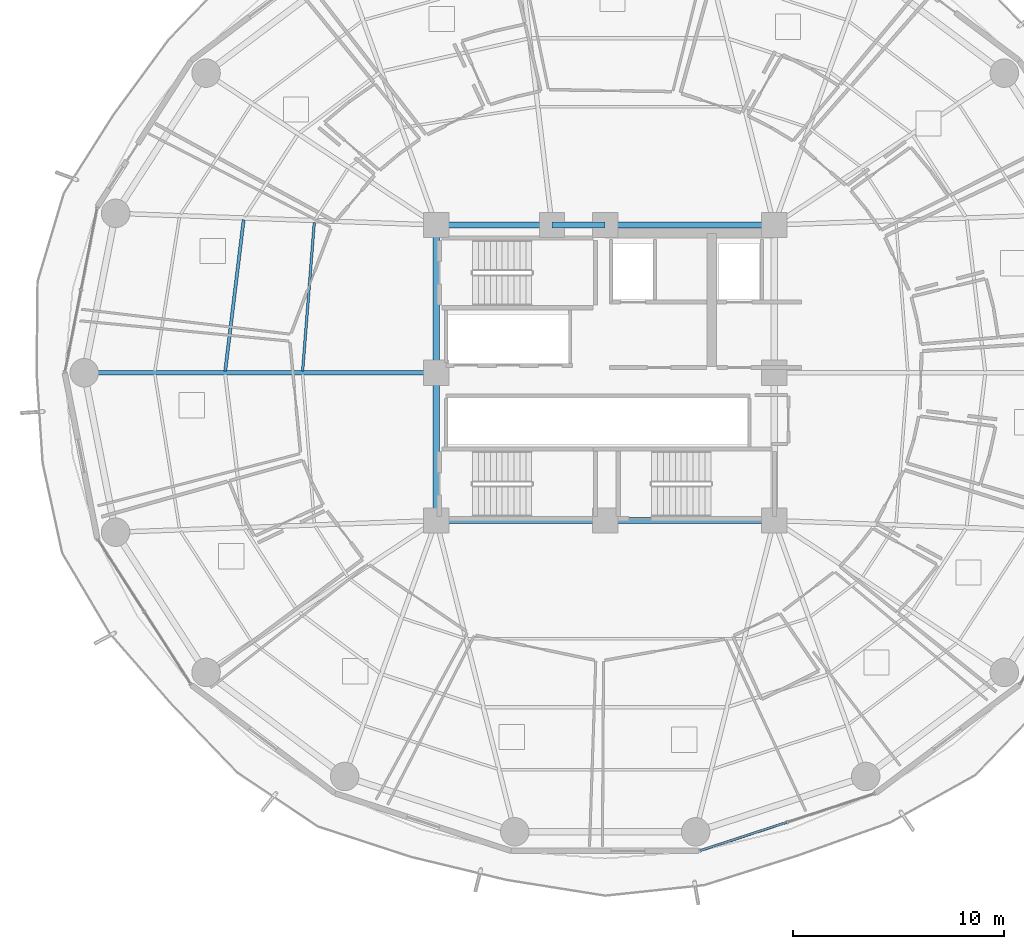
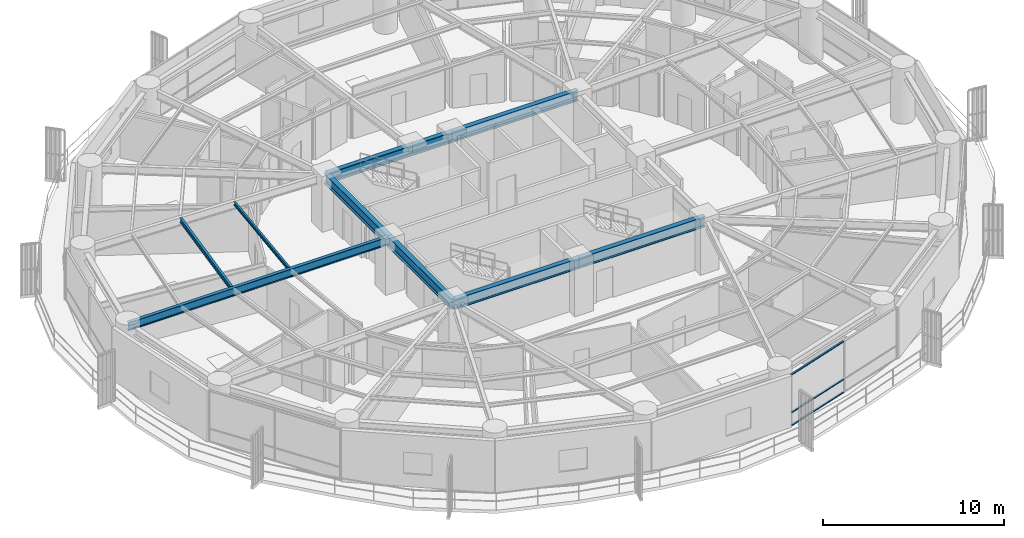
# One storey, part 9 of 36: 10 beams, 3 members, 1 element without a shape of its own.
"""IFC4 building model written with IfcOpenShell, lengths in metres."""

from ifc_helpers import new_model, si_unit, direction, frame, origin, origin_2d, place, context, subcontext, project, spatial, hollow_rectangle, i_section, extrude, material, layer, layer_set, material_profile, profile_set, type_object, element, aggregate, save


model = new_model("IFC4")

# Units and contexts
model_context = context("Model", 3, precision=1e-05, world=origin(), true_north=direction((0.0, 1.0)))
body_context = subcontext(model_context, "Body", "Model", "MODEL_VIEW")
ifc_project = project(units=[si_unit("LENGTHUNIT", "METRE"), si_unit("AREAUNIT", "SQUARE_METRE"), si_unit("VOLUMEUNIT", "CUBIC_METRE"), si_unit("PLANEANGLEUNIT", "RADIAN"), si_unit("MASSUNIT", "GRAM", prefix="KILO")], contexts=[model_context])

# Site, building, storey
site_placement = place(None, origin())
site = spatial("IfcSite", under=ifc_project, at=site_placement, CompositionType="ELEMENT")
building_placement = place(site_placement, origin())
building = spatial("IfcBuilding", under=site, at=building_placement, Name="Kelanora Arch Commons", CompositionType="ELEMENT")
storey_placement = place(building_placement, frame((0.0, 0.0, 102.60009765625)))
storey = spatial("IfcBuildingStorey", under=building, at=storey_placement, Name="L26", CompositionType="ELEMENT", Elevation=102.60009765625)

# Beams
ifc_material_1 = material(Name="Steel S355", Category="steel")
ifc_material_profile_1 = material_profile(ifc_material_1, i_section(OverallWidth=0.300048828125, OverallDepth=0.699951171875, WebThickness=0.01708984375, FlangeThickness=0.031982421875, FilletRadius=0.027099609375, at=origin_2d()), Name="HEB700")
ifc_profile_set_1 = profile_set([ifc_material_profile_1], Name="Steel S355")
beam_type_1 = type_object("IfcBeamType", Name="BM-CORE-HDR", PredefinedType="BEAM", material=ifc_profile_set_1)
for number, where, z_axis, x_axis, name in (
    (1, (66.0, 51.0, 3.139892578125), (1.0, 0.0, 0.0), (0.0, 1.0, 0.0), "Core Header Beam 01 L26"),
    (2, (74.0, 51.0, 3.139892578125), (1.0, 0.0, 0.0), (0.0, 1.0, 0.0), "Core Header Beam 02 L26"),
    (3, (82.0, 65.0, 3.139892578125), (-1.0, 0.0, 0.0), (0.0, -1.0, 0.0), "Core Header Beam 05 L26"),
):
    element("IfcBeam", number, at=place(storey_placement, frame(where, z_axis=z_axis, x_axis=x_axis)), inside=storey, type_object=beam_type_1, Name=name, PredefinedType="BEAM", context=body_context, shape_type="SweptSolid", body=[
        extrude(i_section(OverallWidth=0.300048828125, OverallDepth=0.699951171875, WebThickness=0.01708984375, FlangeThickness=0.031982421875, FilletRadius=0.027099609375, at=origin_2d()), origin(), (0.0, 0.0, 1.0), 8.0),
    ])
beam_1_placement = place(storey_placement, frame((74.0, 65.0, 3.139892578125), z_axis=(-1.0, 0.0, 0.0), x_axis=(0.0, -1.0, 0.0)))
element("IfcBeam", 4, at=beam_1_placement, inside=storey, type_object=beam_type_1, Name="Core Header Beam 06 L26", PredefinedType="BEAM", context=body_context, shape_type="SweptSolid", body=[
    extrude(i_section(OverallWidth=0.300048828125, OverallDepth=0.699951171875, WebThickness=0.01708984375, FlangeThickness=0.031982421875, FilletRadius=0.027099609375, at=origin_2d()), origin(), (0.0, 0.0, 1.0), 2.52001953125),
])
beam_2_placement = place(storey_placement, frame((71.47998046875, 65.0, 3.139892578125), z_axis=(-1.0, 0.0, 0.0), x_axis=(0.0, -1.0, 0.0)))
element("IfcBeam", 5, at=beam_2_placement, inside=storey, type_object=beam_type_1, Name="Core Header Beam 07 L26", PredefinedType="BEAM", context=body_context, shape_type="SweptSolid", body=[
    extrude(i_section(OverallWidth=0.300048828125, OverallDepth=0.699951171875, WebThickness=0.01708984375, FlangeThickness=0.031982421875, FilletRadius=0.027099609375, at=origin_2d()), origin(), (0.0, 0.0, 1.0), 5.47998046875),
])
for number, where, z_axis, x_axis, name in (
    (6, (66.0, 65.0, 3.139892578125), (0.0, -1.0, 0.0), (1.0, 0.0, 0.0), "Core Header Beam 08 L26"),
    (7, (66.0, 58.0, 3.139892578125), (0.0, -1.0, 0.0), (1.0, 0.0, 0.0), "Core Header Beam 09 L26"),
):
    element("IfcBeam", number, at=place(storey_placement, frame(where, z_axis=z_axis, x_axis=x_axis)), inside=storey, type_object=beam_type_1, Name=name, PredefinedType="BEAM", context=body_context, shape_type="SweptSolid", body=[
        extrude(i_section(OverallWidth=0.300048828125, OverallDepth=0.699951171875, WebThickness=0.01708984375, FlangeThickness=0.031982421875, FilletRadius=0.027099609375, at=origin_2d()), origin(), (0.0, 0.0, 1.0), 7.0),
    ])
ifc_material_profile_2 = material_profile(ifc_material_1, i_section(OverallWidth=0.14990234375, OverallDepth=0.300048828125, WebThickness=0.007080078125, FlangeThickness=0.0107421875, FilletRadius=0.014892578125, at=origin_2d()), Name="IPE300")
ifc_profile_set_2 = profile_set([ifc_material_profile_2], Name="Steel S355")
beam_type_2 = type_object("IfcBeamType", Name="BM-JST-01", PredefinedType="JOIST", material=ifc_profile_set_2)
beam_3_placement = place(storey_placement, frame((56.874755859375, 65.24658203125, 3.33984375), z_axis=(-0.120935645266, -0.992660349618, 0.0), x_axis=(0.992660349618, -0.120935645266, 0.0)))
element("IfcBeam", 8, at=beam_3_placement, inside=storey, type_object=beam_type_2, Name="Secondary Chord Joist BJB-16 L26", PredefinedType="JOIST", context=body_context, shape_type="SweptSolid", body=[
    extrude(i_section(OverallWidth=0.14990234375, OverallDepth=0.300048828125, WebThickness=0.007080078125, FlangeThickness=0.0107421875, FilletRadius=0.014892578125, at=origin_2d()), origin(), (0.0, 0.0, 1.0), 7.215087890625),
])
ifc_material_profile_3 = material_profile(ifc_material_1, i_section(OverallWidth=0.1201171875, OverallDepth=0.239990234375, WebThickness=0.006103515625, FlangeThickness=0.009765625, FilletRadius=0.014892578125, at=origin_2d()), Name="IPE240")
ifc_profile_set_3 = profile_set([ifc_material_profile_3], Name="Steel S355")
beam_type_3 = type_object("IfcBeamType", Name="BM-JST-02", PredefinedType="JOIST", material=ifc_profile_set_3)
beam_4_placement = place(storey_placement, frame((60.220458984375, 65.125, 3.369873046875), z_axis=(-0.078200677502, -0.996937637989, 0.0), x_axis=(0.996937637989, -0.078200677502, 0.0)))
element("IfcBeam", 9, at=beam_4_placement, inside=storey, type_object=beam_type_3, Name="Secondary Chord Joist BJA-16 L26", PredefinedType="JOIST", context=body_context, shape_type="SweptSolid", body=[
    extrude(i_section(OverallWidth=0.1201171875, OverallDepth=0.239990234375, WebThickness=0.006103515625, FlangeThickness=0.009765625, FilletRadius=0.014892578125, at=origin_2d()), origin(), (0.0, 0.0, 1.0), 7.06201171875),
])
ifc_material_profile_4 = material_profile(ifc_material_1, i_section(OverallWidth=0.2099609375, OverallDepth=0.550048828125, WebThickness=0.010986328125, FlangeThickness=0.01708984375, FilletRadius=0.02392578125, at=origin_2d()), Name="IPE550")
ifc_profile_set_4 = profile_set([ifc_material_profile_4], Name="Steel S355")
beam_type_4 = type_object("IfcBeamType", Name="BM-RAD-Z2", PredefinedType="BEAM", material=ifc_profile_set_4)
beam_5_placement = place(storey_placement, frame((66.0, 58.0, 3.21484375), z_axis=(-1.0, 0.0, 0.0), x_axis=(0.0, -1.0, 0.0)))
element("IfcBeam", 10, at=beam_5_placement, inside=storey, type_object=beam_type_4, Name="Radial Floor Girder BR-18 L26", PredefinedType="BEAM", context=body_context, shape_type="SweptSolid", body=[
    extrude(i_section(OverallWidth=0.2099609375, OverallDepth=0.550048828125, WebThickness=0.010986328125, FlangeThickness=0.01708984375, FilletRadius=0.02392578125, at=origin_2d()), origin(), (0.0, 0.0, 1.0), 16.679931640625),
])

# Curtain wall, members
ifc_material_2 = material(Name="Terracotta ceramic-fritted low-E glass and aluminium", Category="masonry")
ifc_layer = layer(ifc_material_2, 0.159912109375)
ifc_layer_set = layer_set([ifc_layer], Name="Terracotta ceramic-fritted low-E glass and aluminium")
curtain_wall_type = type_object("IfcCurtainWallType", Name="CW-SYS-01", PredefinedType="NOTDEFINED", material=ifc_layer_set)
curtain_wall_placement = place(storey_placement, origin())
curtain_wall = element("IfcCurtainWall", 11, at=curtain_wall_placement, inside=storey, type_object=curtain_wall_type, Name="Unitised Curtain Wall L26-B14", PredefinedType="NOTDEFINED")
ifc_material_3 = material(Name="Powder-coated aluminium terracotta", Category="masonry")
ifc_material_profile_5 = material_profile(ifc_material_3, hollow_rectangle(XDim=0.1201171875, YDim=0.06005859375, WallThickness=0.0048828125, InnerFilletRadius=0.0048828125, OuterFilletRadius=0.010009765625, at=origin_2d()), Name="CWT120x60")
ifc_profile_set_5 = profile_set([ifc_material_profile_5], Name="Powder-coated aluminium terracotta")
member_type = type_object("IfcMemberType", Name="CWT-STD", PredefinedType="USERDEFINED", material=ifc_profile_set_5)
member_1_placement = place(storey_placement, frame((78.516845703125, 35.372802734375, 0.02978515625), z_axis=(0.950477544745, 0.31079323824, 0.0), x_axis=(-0.31079323824, 0.950477544745, 0.0)))
member_1 = element("IfcMember", 12, at=member_1_placement, type_object=member_type, Name="CW-01 transom 1.1", ObjectType="TRANSOM", PredefinedType="USERDEFINED", context=body_context, shape_type="SweptSolid", body=[
    extrude(hollow_rectangle(XDim=0.1201171875, YDim=0.06005859375, WallThickness=0.0048828125, InnerFilletRadius=0.0048828125, OuterFilletRadius=0.010009765625, at=origin_2d()), origin(), (0.0, 0.0, 1.0), 4.289794921875),
])
member_2_placement = place(storey_placement, frame((78.516845703125, 35.372802734375, 0.89990234375), z_axis=(0.950477544745, 0.31079323824, 0.0), x_axis=(-0.31079323824, 0.950477544745, 0.0)))
member_2 = element("IfcMember", 13, at=member_2_placement, type_object=member_type, Name="CW-01 transom 1.2", ObjectType="TRANSOM", PredefinedType="USERDEFINED", context=body_context, shape_type="SweptSolid", body=[
    extrude(hollow_rectangle(XDim=0.1201171875, YDim=0.06005859375, WallThickness=0.0048828125, InnerFilletRadius=0.0048828125, OuterFilletRadius=0.010009765625, at=origin_2d()), origin(), (0.0, 0.0, 1.0), 4.289794921875),
])
member_3_placement = place(storey_placement, frame((78.516845703125, 35.372802734375, 3.44482421875), z_axis=(0.950477544745, 0.31079323824, 0.0), x_axis=(-0.31079323824, 0.950477544745, 0.0)))
member_3 = element("IfcMember", 14, at=member_3_placement, type_object=member_type, Name="CW-01 transom 1.3", ObjectType="TRANSOM", PredefinedType="USERDEFINED", context=body_context, shape_type="SweptSolid", body=[
    extrude(hollow_rectangle(XDim=0.1201171875, YDim=0.06005859375, WallThickness=0.0048828125, InnerFilletRadius=0.0048828125, OuterFilletRadius=0.010009765625, at=origin_2d()), origin(), (0.0, 0.0, 1.0), 4.289794921875),
])
aggregate(curtain_wall, [member_1, member_2, member_3])

save(model, "model.ifc")
